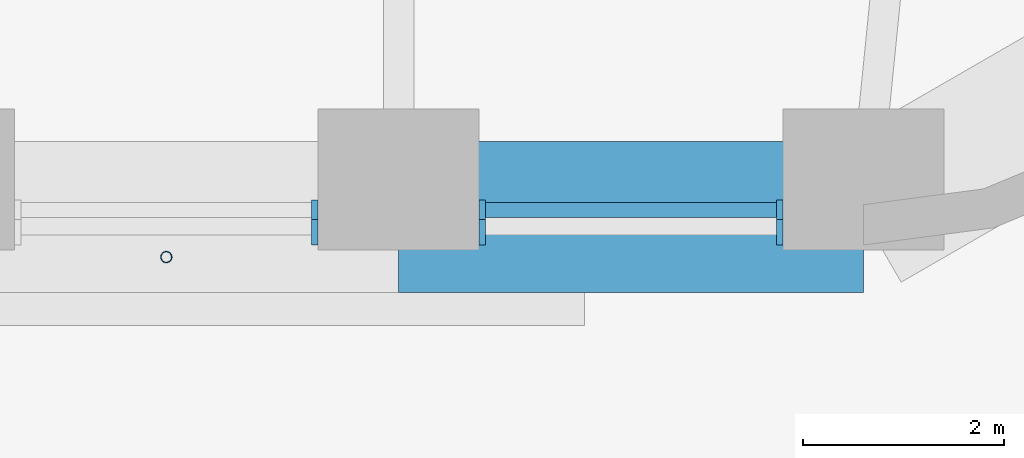
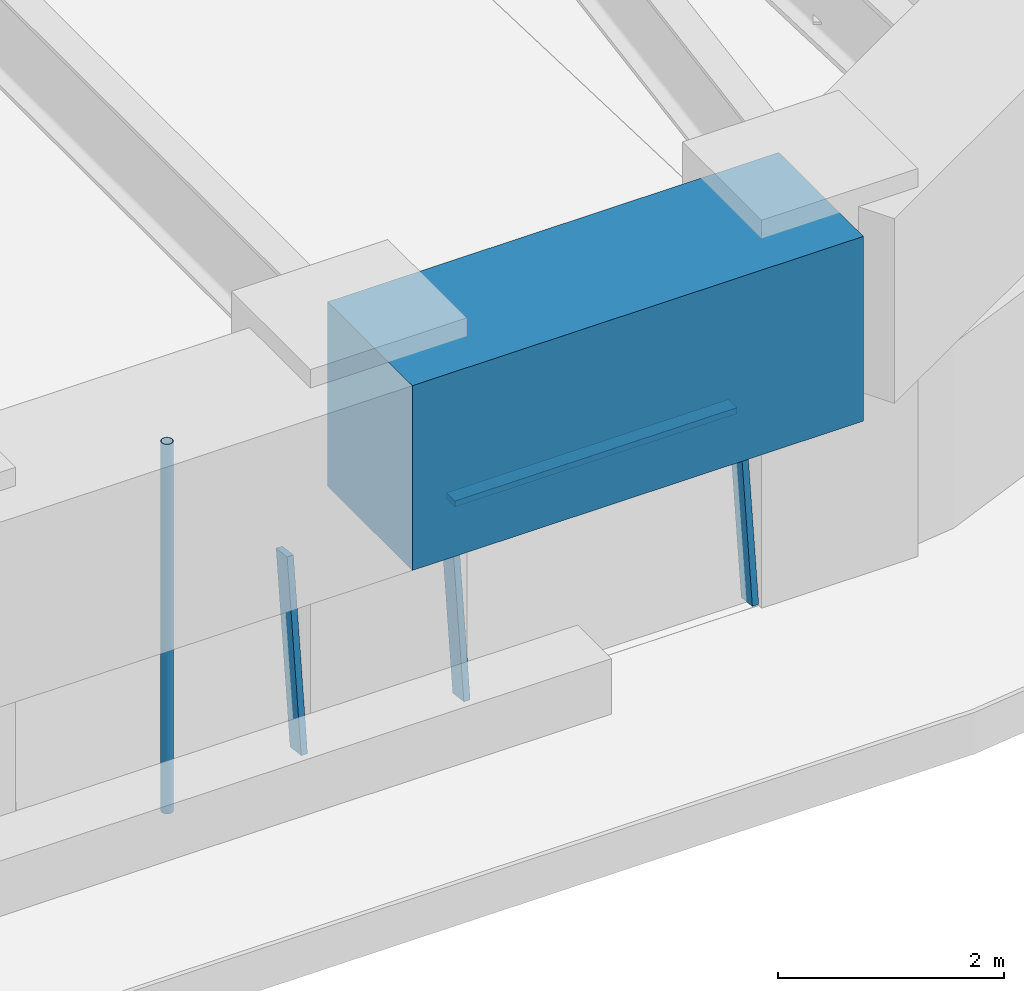
# One storey, part 4 of 20: 5 members, 1 beam, 2 elements without a shape of their own.
"""IFC4 building model written with IfcOpenShell, lengths in metres."""

from ifc_helpers import new_model, si_unit, direction, frame, origin, origin_2d, place, context, subcontext, project, spatial, rectangle, hollow_circle, extrude, material, material_profile, profile_set, type_object, element, aggregate, save


model = new_model("IFC4")

# Units and contexts
model_context = context("Model", 3, precision=1e-05, world=origin(), true_north=direction((0.0, 1.0)))
body_context = subcontext(model_context, "Body", "Model", "MODEL_VIEW")
ifc_project = project(units=[si_unit("LENGTHUNIT", "METRE"), si_unit("AREAUNIT", "SQUARE_METRE"), si_unit("VOLUMEUNIT", "CUBIC_METRE"), si_unit("PLANEANGLEUNIT", "RADIAN"), si_unit("MASSUNIT", "GRAM", prefix="KILO")], contexts=[model_context])

# Site, building, storey
site_placement = place(None, origin())
site = spatial("IfcSite", under=ifc_project, at=site_placement, CompositionType="ELEMENT")
building_placement = place(site_placement, origin())
building = spatial("IfcBuilding", under=site, at=building_placement, Name="Tarfa Lantern Tower", CompositionType="ELEMENT")
storey_placement = place(building_placement, frame((0.0, 0.0, 228.10009765625)))
storey = spatial("IfcBuildingStorey", under=building, at=storey_placement, Name="L51", CompositionType="ELEMENT", Elevation=228.10009765625)

# Curtain wall, member
ifc_material_1 = material(Name="Aluminium framed curtain wall", Category="aluminium")
curtain_wall_type = type_object("IfcCurtainWallType", Name="CW3 CANTED GLAZING HIGH ZONE 2000", PredefinedType="USERDEFINED", material=ifc_material_1)
curtain_wall_1_placement = place(storey_placement, origin())
curtain_wall_1 = element("IfcCurtainWall", 1, at=curtain_wall_1_placement, inside=storey, type_object=curtain_wall_type, Name="CW3 S L51", ObjectType="CURTAIN WALL", PredefinedType="USERDEFINED")
ifc_material_2 = material(Name="Aluminium mullion", Category="aluminium")
ifc_material_profile_1 = material_profile(ifc_material_2, rectangle(XDim=0.06494140625, YDim=0.199951171875, at=origin_2d()), Name="AL MULLION 65x200")
ifc_profile_set_1 = profile_set([ifc_material_profile_1], Name="Aluminium mullion")
member_type_1 = type_object("IfcMemberType", Name="CWM1 MULLION 65x200", PredefinedType="MULLION", material=ifc_profile_set_1)
member_1_placement = place(storey_placement, frame((8.405029296875, -28.89990234375, 0.0), z_axis=(0.0, 0.124034734589, 0.992277876714), x_axis=(-1.0, 0.0, 0.0)))
member_1 = element("IfcMember", 2, at=member_1_placement, type_object=member_type_1, Name="CW3 mullion 2", PredefinedType="MULLION", context=body_context, shape_type="SweptSolid", body=[
    extrude(rectangle(XDim=0.06494140625, YDim=0.199951171875, at=origin_2d()), origin(), (0.0, 0.0, 1.0), 2.015625),
])
aggregate(curtain_wall_1, [member_1])

# Curtain wall, members
curtain_wall_2_placement = place(storey_placement, origin())
curtain_wall_2 = element("IfcCurtainWall", 3, at=curtain_wall_2_placement, inside=storey, type_object=curtain_wall_type, Name="CW3 S L51", ObjectType="CURTAIN WALL", PredefinedType="USERDEFINED")
member_2_placement = place(storey_placement, frame((10.070068359375, -28.89990234375, 0.0), z_axis=(0.0, 0.124034734589, 0.992277876714), x_axis=(-1.0, 0.0, 0.0)))
member_2 = element("IfcMember", 4, at=member_2_placement, type_object=member_type_1, Name="CW3 mullion 1", PredefinedType="MULLION", context=body_context, shape_type="SweptSolid", body=[
    extrude(rectangle(XDim=0.06494140625, YDim=0.199951171875, at=origin_2d()), origin(), (0.0, 0.0, 1.0), 2.015625),
])
member_3_placement = place(storey_placement, frame((13.02392578125, -28.89990234375, 0.0), z_axis=(0.0, 0.124034734589, 0.992277876714), x_axis=(-1.0, 0.0, 0.0)))
member_3 = element("IfcMember", 5, at=member_3_placement, type_object=member_type_1, Name="CW3 mullion 2", PredefinedType="MULLION", context=body_context, shape_type="SweptSolid", body=[
    extrude(rectangle(XDim=0.06494140625, YDim=0.199951171875, at=origin_2d()), origin(), (0.0, 0.0, 1.0), 2.015625),
])
ifc_material_3 = material(Name="Aluminium transom", Category="aluminium")
ifc_material_profile_2 = material_profile(ifc_material_3, rectangle(XDim=0.14990234375, YDim=0.06494140625, at=origin_2d()), Name="AL TRANSOM 150x65")
ifc_profile_set_2 = profile_set([ifc_material_profile_2], Name="Aluminium transom")
member_type_2 = type_object("IfcMemberType", Name="CWT1 TRANSOM 150x65", PredefinedType="USERDEFINED", material=ifc_profile_set_2)
member_4_placement = place(storey_placement, frame((10.1025390625, -28.654052734375, 1.96728515625), z_axis=(1.0, 0.0, 0.0), x_axis=(0.0, 1.0, 0.0)))
member_4 = element("IfcMember", 6, at=member_4_placement, type_object=member_type_2, Name="CW3 transom 1.2", ObjectType="TRANSOM", PredefinedType="USERDEFINED", context=body_context, shape_type="SweptSolid", body=[
    extrude(rectangle(XDim=0.14990234375, YDim=0.06494140625, at=origin_2d()), origin(), (0.0, 0.0, 1.0), 2.888916015625),
])
aggregate(curtain_wall_2, [member_2, member_3, member_4])

# Beam
ifc_material_4 = material(Name="Concrete C80/95", Category="concrete")
ifc_material_profile_3 = material_profile(ifc_material_4, rectangle(XDim=1.5, YDim=2.0, at=origin_2d()), Name="RC 1500x2000")
ifc_profile_set_3 = profile_set([ifc_material_profile_3], Name="Concrete C80/95")
beam_type = type_object("IfcBeamType", Name="RB3 RC 1500x2000", PredefinedType="BEAM", material=ifc_profile_set_3)
beam_placement = place(storey_placement, frame((9.237548828125, -28.719970703125, 3.0), z_axis=(1.0, 0.0, 0.0), x_axis=(0.0, 1.0, 0.0)))
element("IfcBeam", 7, at=beam_placement, inside=storey, type_object=beam_type, Name="Edge beam S5", PredefinedType="BEAM", context=body_context, shape_type="SweptSolid", body=[
    extrude(rectangle(XDim=1.5, YDim=2.0, at=origin_2d()), origin(), (0.0, 0.0, 1.0), 4.618896484375),
])

# Member
ifc_material_5 = material(Name="Steel S355", Category="steel")
ifc_material_profile_4 = material_profile(ifc_material_5, hollow_circle(Radius=0.05712890625, WallThickness=0.00634765625, at=origin_2d()), Name="CHS114.3x6.3")
ifc_profile_set_4 = profile_set([ifc_material_profile_4], Name="Steel S355")
member_type_3 = type_object("IfcMemberType", Name="TR1 GREEN WALL TRELLIS CHS114.3x6.3", PredefinedType="USERDEFINED", material=ifc_profile_set_4)
member_5_placement = place(storey_placement, frame((6.92822265625, -29.1201171875, 0.0), z_axis=(0.0, 0.0, 1.0), x_axis=(1.0, 0.0, 0.0)))
element("IfcMember", 8, at=member_5_placement, inside=storey, type_object=member_type_3, Name="Trellis post S 2", ObjectType="TRELLIS", PredefinedType="USERDEFINED", context=body_context, shape_type="SweptSolid", body=[
    extrude(hollow_circle(Radius=0.05712890625, WallThickness=0.00634765625, at=origin_2d()), origin(), (0.0, 0.0, 1.0), 4.0),
])

save(model, "model.ifc")
